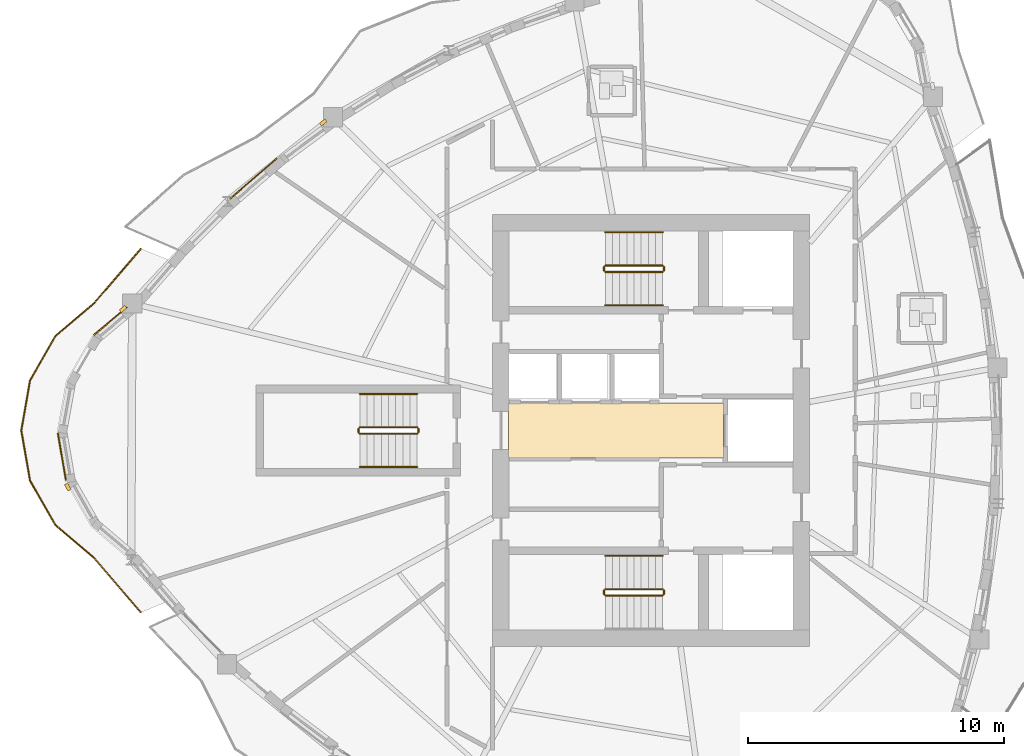
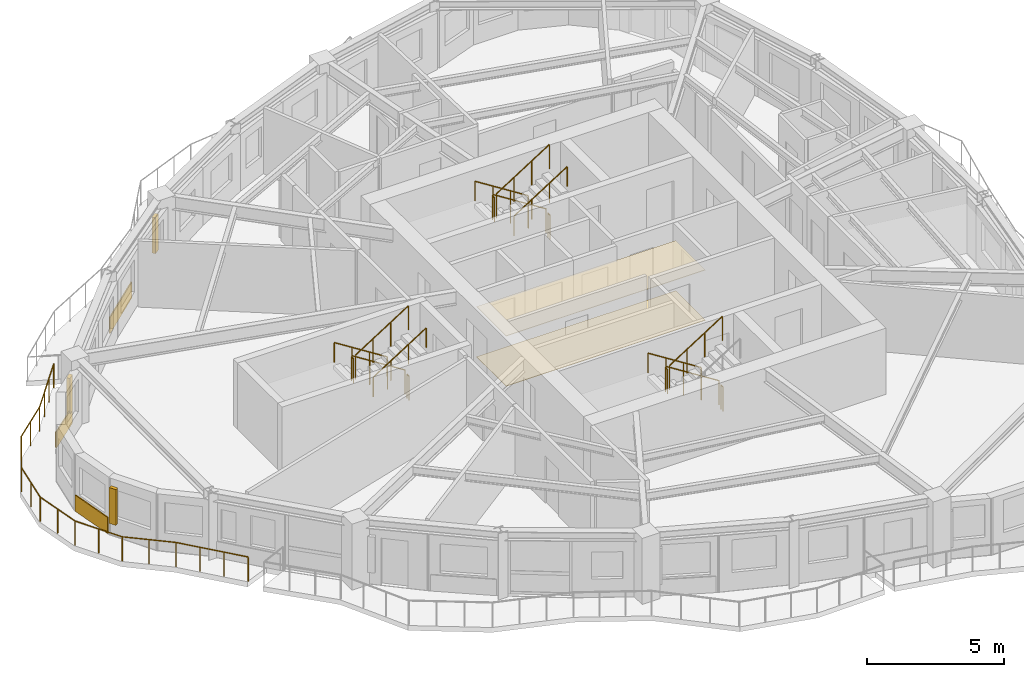
# One storey, part 11 of 13: 18 railings, 5 coverings, 3 shading devices.
"""IFC4 building model written with IfcOpenShell, lengths in metres."""

from ifc_helpers import new_model, si_unit, direction, frame, origin, origin_2d, place, context, subcontext, project, spatial, polyline, rectangle, circle, outline, extrude, source, transform, mapped, material, layer, layer_set, type_object, element, save


model = new_model("IFC4")

# Units and contexts
model_context = context("Model", 3, precision=1e-05, world=origin(), true_north=direction((0.0, 1.0)))
body_context = subcontext(model_context, "Body", "Model", "MODEL_VIEW")
ifc_project = project(units=[si_unit("LENGTHUNIT", "METRE"), si_unit("AREAUNIT", "SQUARE_METRE"), si_unit("VOLUMEUNIT", "CUBIC_METRE"), si_unit("PLANEANGLEUNIT", "RADIAN"), si_unit("MASSUNIT", "GRAM", prefix="KILO")], contexts=[model_context])

# Site, building, storey
site_placement = place(None, origin())
site = spatial("IfcSite", under=ifc_project, at=site_placement, CompositionType="ELEMENT")
building_placement = place(site_placement, origin())
building = spatial("IfcBuilding", under=site, at=building_placement, Name="Qafzar Sky-Pleat Residences", CompositionType="ELEMENT")
storey_placement = place(building_placement, frame((0.0, 0.0, 133.0)))
storey = spatial("IfcBuildingStorey", under=building, at=storey_placement, Name="L39", CompositionType="ELEMENT", Elevation=133.0)

# Coverings
ifc_material_1 = material(Name="Perforated acoustic gypsum board ceiling")
ifc_layer_1 = layer(ifc_material_1, 0.02001953125)
ifc_layer_set_1 = layer_set([ifc_layer_1], Name="Perforated acoustic gypsum board ceiling")
covering_type_1 = type_object("IfcCoveringType", Name="COV-CEIL-ACOUSTIC", PredefinedType="CEILING", material=ifc_layer_set_1)
covering_1_placement = place(storey_placement, frame((0.0, 0.0, 2.239990234375)))
element("IfcCovering", 1, at=covering_1_placement, inside=storey, type_object=covering_type_1, Name="L39 Passenger Lift Lobby Acoustic Ceiling", PredefinedType="CEILING", context=body_context, shape_type="SweptSolid", body=[
    extrude(outline(polyline([(33.179931640625, 24.919921875), (24.77001953125, 24.919921875), (24.77001953125, 27.080078125), (33.179931640625, 27.080078125), (33.179931640625, 24.919921875)])), origin(), (0.0, 0.0, 1.0), 0.02001953125),
])
ifc_material_2 = material(Name="Honed porcelain and Riyadh stone tile flooring", Category="masonry")
ifc_layer_2 = layer(ifc_material_2, 0.02001953125)
ifc_layer_set_2 = layer_set([ifc_layer_2], Name="Honed porcelain and Riyadh stone tile flooring")
covering_type_2 = type_object("IfcCoveringType", Name="COV-FLR-PORCELAIN", PredefinedType="FLOORING", material=ifc_layer_set_2)
covering_2_placement = place(storey_placement, origin())
element("IfcCovering", 2, at=covering_2_placement, inside=storey, type_object=covering_type_2, Name="L39 Passenger Lift Lobby Honed Stone Flooring", PredefinedType="FLOORING", context=body_context, shape_type="SweptSolid", body=[
    extrude(outline(polyline([(33.179931640625, 24.919921875), (24.77001953125, 24.919921875), (24.77001953125, 27.080078125), (33.179931640625, 27.080078125), (33.179931640625, 24.919921875)])), origin(), (0.0, 0.0, 1.0), 0.02001953125),
])

# Shading devices
ifc_material_3 = material(Name="Honed Riyadh limestone solar fin", Category="masonry")
ifc_layer_3 = layer(ifc_material_3, 0.139892578125)
ifc_layer_set_3 = layer_set([ifc_layer_3], Name="Honed Riyadh limestone solar fin")
shading_device_type = type_object("IfcShadingDeviceType", Name="SHD-FIN-STONE", PredefinedType="SHUTTER", material=ifc_layer_set_3)
shared_shape_1 = source(origin(), body_context, "Body", "SweptSolid", [
    extrude(rectangle(XDim=0.139892578125, YDim=0.280029296875, at=origin_2d()), origin(), (0.0, 0.0, 1.0), 1.60009765625),
])
for number, where, z_axis, x_axis, name in (
    (3, (9.705078125, 30.75146484375, 0.599853515625), (0.0, 0.0, 1.0), (-0.642178681306, 0.766554982552, 0.0), "L39 Limestone Solar Fin 1"),
    (4, (7.54248046875, 23.7919921875, 0.599853515625), (0.0, 0.0, 1.0), (-0.86961473554, -0.493730910245, 0.0), "L39 Limestone Solar Fin 5"),
    (5, (17.534423828125, 38.0478515625, 0.599853515625), (0.0, 0.0, 1.0), (-0.594883347751, 0.803812044304, 0.0), "L39 Limestone Solar Fin 45"),
):
    element("IfcShadingDevice", number, at=place(storey_placement, frame(where, z_axis=z_axis, x_axis=x_axis)), inside=storey, type_object=shading_device_type, Name=name, PredefinedType="SHUTTER", context=body_context, shape_type="MappedRepresentation", body=[
        mapped(shared_shape_1, transform((0.0, 0.0, 0.0), x_axis=(1.0, 0.0, 0.0), y_axis=(0.0, 1.0, 0.0), z_axis=(0.0, 0.0, 1.0), scale=1.0)),
    ])

# Railing
ifc_material_4 = material(Name="Laminated glass and bronze steel balustrade", Category="steel")
railing_type_1 = type_object("IfcRailingType", Name="RAIL-BAL-1100", PredefinedType="BALUSTRADE", material=ifc_material_4)
shared_shape_2 = source(origin(), body_context, "Body", "SweptSolid", [
    extrude(circle(Radius=0.02392578125, at=origin_2d()), frame((0.0, 0.0, 1.076171875), z_axis=(-0.651444068279, 0.758696662642, 0.0), x_axis=(-0.758696662642, -0.651444068279, 0.0)), (0.0, 0.0, 1.0), 2.80224609375),
    extrude(circle(Radius=0.02392578125, at=origin_2d()), frame((-1.825439453125, 2.1259765625, 1.076171875), z_axis=(-0.761860761711, 0.64774082762, 0.0), x_axis=(-0.64774082762, -0.761860761711, 0.0)), (0.0, 0.0, 1.0), 1.993896484375),
    extrude(circle(Radius=0.02392578125, at=origin_2d()), frame((-3.344482421875, 3.41748046875, 1.076171875), z_axis=(-0.496732470221, 0.867903711841, 0.0), x_axis=(-0.867903711841, -0.496732470221, 0.0)), (0.0, 0.0, 1.0), 1.992919921875),
    extrude(circle(Radius=0.02392578125, at=origin_2d()), frame((-4.33447265625, 5.147216796875, 1.076171875), z_axis=(-0.172401137465, 0.985026825929, 0.0), x_axis=(-0.985026825929, -0.172401137465, 0.0)), (0.0, 0.0, 1.0), 1.992431640625),
    extrude(circle(Radius=0.02392578125, at=origin_2d()), frame((-4.677978515625, 7.10986328125, 1.076171875), z_axis=(0.172401137465, 0.985026825929, 0.0), x_axis=(-0.985026825929, 0.172401137465, 0.0)), (0.0, 0.0, 1.0), 1.992431640625),
    extrude(circle(Radius=0.02392578125, at=origin_2d()), frame((-4.33447265625, 9.072509765625, 1.076171875), z_axis=(0.496732470221, 0.867903711841, 0.0), x_axis=(-0.867903711841, 0.496732470221, 0.0)), (0.0, 0.0, 1.0), 1.992919921875),
    extrude(circle(Radius=0.02392578125, at=origin_2d()), frame((-3.344482421875, 10.80224609375, 1.076171875), z_axis=(0.761860761711, 0.64774082762, 0.0), x_axis=(-0.64774082762, 0.761860761711, 0.0)), (0.0, 0.0, 1.0), 1.993896484375),
    extrude(circle(Radius=0.02392578125, at=origin_2d()), frame((-1.825439453125, 12.09375, 1.076171875), z_axis=(0.651444068279, 0.758696662642, 0.0), x_axis=(-0.758696662642, 0.651444068279, 0.0)), (0.0, 0.0, 1.0), 2.80224609375),
    extrude(circle(Radius=0.02099609375, at=origin_2d()), origin(), (0.0, 0.0, 1.0), 1.052001953125),
    extrude(circle(Radius=0.02099609375, at=origin_2d()), frame((-0.6083984375, 0.708740234375, 0.0)), (0.0, 0.0, 1.0), 1.052001953125),
    extrude(circle(Radius=0.02099609375, at=origin_2d()), frame((-1.217041015625, 1.417236328125, 0.0)), (0.0, 0.0, 1.0), 1.052001953125),
    extrude(circle(Radius=0.02099609375, at=origin_2d()), frame((-1.825439453125, 2.1259765625, 0.0)), (0.0, 0.0, 1.0), 1.052001953125),
    extrude(circle(Radius=0.02099609375, at=origin_2d()), frame((-2.5849609375, 2.771728515625, 0.0)), (0.0, 0.0, 1.0), 1.052001953125),
    extrude(circle(Radius=0.02099609375, at=origin_2d()), frame((-3.344482421875, 3.41748046875, 0.0)), (0.0, 0.0, 1.0), 1.052001953125),
    extrude(circle(Radius=0.02099609375, at=origin_2d()), frame((-3.83935546875, 4.2822265625, 0.0)), (0.0, 0.0, 1.0), 1.052001953125),
    extrude(circle(Radius=0.02099609375, at=origin_2d()), frame((-4.33447265625, 5.147216796875, 0.0)), (0.0, 0.0, 1.0), 1.052001953125),
    extrude(circle(Radius=0.02099609375, at=origin_2d()), frame((-4.50634765625, 6.12841796875, 0.0)), (0.0, 0.0, 1.0), 1.052001953125),
    extrude(circle(Radius=0.02099609375, at=origin_2d()), frame((-4.677978515625, 7.10986328125, 0.0)), (0.0, 0.0, 1.0), 1.052001953125),
    extrude(circle(Radius=0.02099609375, at=origin_2d()), frame((-4.50634765625, 8.09130859375, 0.0)), (0.0, 0.0, 1.0), 1.052001953125),
    extrude(circle(Radius=0.02099609375, at=origin_2d()), frame((-4.33447265625, 9.072509765625, 0.0)), (0.0, 0.0, 1.0), 1.052001953125),
    extrude(circle(Radius=0.02099609375, at=origin_2d()), frame((-3.83935546875, 9.9375, 0.0)), (0.0, 0.0, 1.0), 1.052001953125),
    extrude(circle(Radius=0.02099609375, at=origin_2d()), frame((-3.344482421875, 10.80224609375, 0.0)), (0.0, 0.0, 1.0), 1.052001953125),
    extrude(circle(Radius=0.02099609375, at=origin_2d()), frame((-2.5849609375, 11.447998046875, 0.0)), (0.0, 0.0, 1.0), 1.052001953125),
    extrude(circle(Radius=0.02099609375, at=origin_2d()), frame((-1.825439453125, 12.09375, 0.0)), (0.0, 0.0, 1.0), 1.052001953125),
    extrude(circle(Radius=0.02099609375, at=origin_2d()), frame((-1.217041015625, 12.802490234375, 0.0)), (0.0, 0.0, 1.0), 1.052001953125),
    extrude(circle(Radius=0.02099609375, at=origin_2d()), frame((-0.6083984375, 13.510986328125, 0.0)), (0.0, 0.0, 1.0), 1.052001953125),
    extrude(circle(Radius=0.02099609375, at=origin_2d()), frame((0.0, 14.2197265625, 0.0)), (0.0, 0.0, 1.0), 1.052001953125),
])
railing_placement = place(storey_placement, frame((10.402587890625, 18.89013671875, 0.0)))
element("IfcRailing", 6, at=railing_placement, inside=storey, type_object=railing_type_1, Name="L39 Corner Terrace 1 Balustrade", PredefinedType="BALUSTRADE", context=body_context, shape_type="MappedRepresentation", body=[
    mapped(shared_shape_2, transform((0.0, 0.0, 0.0), x_axis=(1.0, 0.0, 0.0), y_axis=(0.0, 1.0, 0.0), z_axis=(0.0, 0.0, 1.0), scale=1.0)),
])

# Coverings
ifc_material_5 = material(Name="Honed Riyadh Tuwaiq limestone cladding", Category="masonry")
ifc_layer_4 = layer(ifc_material_5, 0.044921875)
ifc_layer_set_4 = layer_set([ifc_layer_4], Name="Honed Riyadh Tuwaiq limestone cladding")
covering_type_3 = type_object("IfcCoveringType", Name="COV-CLAD-STONE", PredefinedType="CLADDING", material=ifc_layer_set_4)
shared_shape_3 = source(origin(), body_context, "Body", "SweptSolid", [
    extrude(rectangle(XDim=1.699462890625, YDim=0.044921875, at=origin_2d()), origin(), (0.0, 0.0, 1.0), 0.719970703125),
])
covering_3_placement = place(storey_placement, frame((9.20751953125, 30.278564453125, 0.02001953125), z_axis=(0.0, 0.0, 1.0), x_axis=(-0.766590937902, -0.642135759732, 0.0)))
element("IfcCovering", 7, at=covering_3_placement, inside=storey, type_object=covering_type_3, Name="L39 Riyadh Limestone Spandrel Cladding 1", PredefinedType="CLADDING", context=body_context, shape_type="MappedRepresentation", body=[
    mapped(shared_shape_3, transform((0.0, 0.0, 0.0), x_axis=(1.0, 0.0, 0.0), y_axis=(0.0, 1.0, 0.0), z_axis=(0.0, 0.0, 1.0), scale=1.0)),
])
shared_shape_4 = source(origin(), body_context, "Body", "SweptSolid", [
    extrude(rectangle(XDim=1.873046875, YDim=0.044921875, at=origin_2d()), origin(), (0.0, 0.0, 1.0), 0.719970703125),
])
covering_4_placement = place(storey_placement, frame((7.31103515625, 24.98046875, 0.02001953125), z_axis=(0.0, 0.0, 1.0), x_axis=(0.168130198723, -0.985764797646, 0.0)))
element("IfcCovering", 8, at=covering_4_placement, inside=storey, type_object=covering_type_3, Name="L39 Riyadh Limestone Spandrel Cladding 4", PredefinedType="CLADDING", context=body_context, shape_type="MappedRepresentation", body=[
    mapped(shared_shape_4, transform((0.0, 0.0, 0.0), x_axis=(1.0, 0.0, 0.0), y_axis=(0.0, 1.0, 0.0), z_axis=(0.0, 0.0, 1.0), scale=1.0)),
])
shared_shape_5 = source(origin(), body_context, "Body", "SweptSolid", [
    extrude(rectangle(XDim=2.406982421875, YDim=0.044921875, at=origin_2d()), origin(), (0.0, 0.0, 1.0), 0.719970703125),
])
covering_5_placement = place(storey_placement, frame((14.8046875, 35.854248046875, 0.02001953125), z_axis=(0.0, 0.0, 1.0), x_axis=(-0.757496035004, -0.652839763612, 0.0)))
element("IfcCovering", 9, at=covering_5_placement, inside=storey, type_object=covering_type_3, Name="L39 Riyadh Limestone Spandrel Cladding 46", PredefinedType="CLADDING", context=body_context, shape_type="MappedRepresentation", body=[
    mapped(shared_shape_5, transform((0.0, 0.0, 0.0), x_axis=(1.0, 0.0, 0.0), y_axis=(0.0, 1.0, 0.0), z_axis=(0.0, 0.0, 1.0), scale=1.0)),
])

# Railings
ifc_material_6 = material(Name="Painted Steel S355 stair guardrail", Category="steel")
railing_type_2 = type_object("IfcRailingType", Name="RAIL-STAIR-GUARD", PredefinedType="GUARDRAIL", material=ifc_material_6)
shared_shape_6 = source(origin(), body_context, "Body", "SweptSolid", [
    extrude(circle(Radius=0.02392578125, at=origin_2d()), frame((0.0, 0.0, 1.076171875), z_axis=(0.0, -1.0, 0.0), x_axis=(1.0, 0.0, 0.0)), (0.0, 0.0, 1.0), 0.14990234375),
    extrude(circle(Radius=0.02099609375, at=origin_2d()), origin(), (0.0, 0.0, 1.0), 1.052001953125),
    extrude(circle(Radius=0.02099609375, at=origin_2d()), frame((0.0, -0.14990234375, 0.0)), (0.0, 0.0, 1.0), 1.052001953125),
])
for number, where, name in (
    (10, (28.510009765625, 19.75, 1.60009765625), "L39 ST1 stair guard 2"),
    (11, (30.85009765625, 19.75, 0.0), "L39 ST1 stair guard 4"),
    (12, (28.510009765625, 32.39990234375, 1.60009765625), "L39 ST2 stair guard 2"),
    (13, (30.85009765625, 32.39990234375, 0.0), "L39 ST2 stair guard 4"),
    (14, (18.909912109375, 26.074951171875, 1.60009765625), "L39 ST3 stair guard 2"),
    (15, (21.25, 26.074951171875, 0.0), "L39 ST3 stair guard 4"),
):
    element("IfcRailing", number, at=place(storey_placement, frame(where)), inside=storey, type_object=railing_type_2, Name=name, PredefinedType="GUARDRAIL", context=body_context, shape_type="MappedRepresentation", body=[
        mapped(shared_shape_6, transform((0.0, 0.0, 0.0), x_axis=(1.0, 0.0, 0.0), y_axis=(0.0, 1.0, 0.0), z_axis=(0.0, 0.0, 1.0), scale=1.0)),
    ])
shared_shape_7 = source(origin(), body_context, "Body", "SweptSolid", [
    extrude(circle(Radius=0.02392578125, at=origin_2d()), frame((0.0, 0.0, 1.076171875), z_axis=(0.8442293374, 0.0, 0.53598211339), x_axis=(0.0, 1.0, 0.0)), (0.0, 0.0, 1.0), 2.6533203125),
    extrude(circle(Radius=0.02099609375, at=origin_2d()), origin(), (0.0, 0.0, 1.0), 1.052001953125),
    extrude(circle(Radius=0.02099609375, at=origin_2d()), frame((0.74658203125, 0.0, 0.47412109375)), (0.0, 0.0, 1.0), 1.052001953125),
    extrude(circle(Radius=0.02099609375, at=origin_2d()), frame((1.493408203125, 0.0, 0.947998046875)), (0.0, 0.0, 1.0), 1.052001953125),
    extrude(circle(Radius=0.02099609375, at=origin_2d()), frame((2.239990234375, 0.0, 1.422119140625)), (0.0, 0.0, 1.0), 1.052001953125),
])
for number, where, name in (
    (16, (28.56005859375, 19.550048828125, 1.77783203125), "L39 ST1 stair guard 3"),
    (17, (28.56005859375, 32.199951171875, 1.77783203125), "L39 ST2 stair guard 3"),
    (18, (18.9599609375, 25.875, 1.77783203125), "L39 ST3 stair guard 3"),
):
    element("IfcRailing", number, at=place(storey_placement, frame(where)), inside=storey, type_object=railing_type_2, Name=name, PredefinedType="GUARDRAIL", context=body_context, shape_type="MappedRepresentation", body=[
        mapped(shared_shape_7, transform((0.0, 0.0, 0.0), x_axis=(1.0, 0.0, 0.0), y_axis=(0.0, 1.0, 0.0), z_axis=(0.0, 0.0, 1.0), scale=1.0)),
    ])
ifc_material_7 = material(Name="Brushed stainless steel handrail", Category="steel")
railing_type_3 = type_object("IfcRailingType", Name="RAIL-STAIR-HAND", PredefinedType="HANDRAIL", material=ifc_material_7)
shared_shape_8 = source(origin(), body_context, "Body", "SweptSolid", [
    extrude(circle(Radius=0.02392578125, at=origin_2d()), frame((0.0, 0.0, 0.8759765625), z_axis=(0.8442293374, 0.0, 0.53598211339), x_axis=(0.0, 1.0, 0.0)), (0.0, 0.0, 1.0), 2.6533203125),
    extrude(circle(Radius=0.02099609375, at=origin_2d()), origin(), (0.0, 0.0, 1.0), 0.851806640625),
    extrude(circle(Radius=0.02099609375, at=origin_2d()), frame((0.74658203125, 0.0, 0.47412109375)), (0.0, 0.0, 1.0), 0.851806640625),
    extrude(circle(Radius=0.02099609375, at=origin_2d()), frame((1.493408203125, 0.0, 0.947998046875)), (0.0, 0.0, 1.0), 0.851806640625),
    extrude(circle(Radius=0.02099609375, at=origin_2d()), frame((2.239990234375, 0.0, 1.422119140625)), (0.0, 0.0, 1.0), 0.851806640625),
])
for number, where, name in (
    (19, (28.56005859375, 30.89990234375, 1.77783203125), "L39 ST2 stair handrail 2"),
    (20, (18.9599609375, 24.574951171875, 1.77783203125), "L39 ST3 stair handrail 2"),
):
    element("IfcRailing", number, at=place(storey_placement, frame(where)), inside=storey, type_object=railing_type_3, Name=name, PredefinedType="HANDRAIL", context=body_context, shape_type="MappedRepresentation", body=[
        mapped(shared_shape_8, transform((0.0, 0.0, 0.0), x_axis=(1.0, 0.0, 0.0), y_axis=(0.0, 1.0, 0.0), z_axis=(0.0, 0.0, 1.0), scale=1.0)),
    ])
shared_shape_9 = source(origin(), body_context, "Body", "SweptSolid", [
    extrude(circle(Radius=0.02392578125, at=origin_2d()), frame((0.0, 0.0, 1.076171875), z_axis=(-0.84418770128, 0.0, 0.536047689118), x_axis=(0.0, -1.0, 0.0)), (0.0, 0.0, 1.0), 2.6533203125),
    extrude(circle(Radius=0.02099609375, at=origin_2d()), origin(), (0.0, 0.0, 1.0), 1.052001953125),
    extrude(circle(Radius=0.02099609375, at=origin_2d()), frame((-0.74658203125, 0.0, 0.47412109375)), (0.0, 0.0, 1.0), 1.052001953125),
    extrude(circle(Radius=0.02099609375, at=origin_2d()), frame((-1.493408203125, 0.0, 0.9482421875)), (0.0, 0.0, 1.0), 1.052001953125),
    extrude(circle(Radius=0.02099609375, at=origin_2d()), frame((-2.239990234375, 0.0, 1.42236328125)), (0.0, 0.0, 1.0), 1.052001953125),
])
for number, where, name in (
    (21, (30.800048828125, 19.800048828125, 0.177734375), "L39 ST1 stair guard 1"),
    (22, (30.800048828125, 32.449951171875, 0.177734375), "L39 ST2 stair guard 1"),
    (23, (21.199951171875, 26.125, 0.177734375), "L39 ST3 stair guard 1"),
):
    element("IfcRailing", number, at=place(storey_placement, frame(where)), inside=storey, type_object=railing_type_2, Name=name, PredefinedType="GUARDRAIL", context=body_context, shape_type="MappedRepresentation", body=[
        mapped(shared_shape_9, transform((0.0, 0.0, 0.0), x_axis=(1.0, 0.0, 0.0), y_axis=(0.0, 1.0, 0.0), z_axis=(0.0, 0.0, 1.0), scale=1.0)),
    ])
shared_shape_10 = source(origin(), body_context, "Body", "SweptSolid", [
    extrude(circle(Radius=0.02392578125, at=origin_2d()), frame((0.0, 0.0, 0.8759765625), z_axis=(-0.84418770128, 0.0, 0.536047689118), x_axis=(0.0, -1.0, 0.0)), (0.0, 0.0, 1.0), 2.6533203125),
    extrude(circle(Radius=0.02099609375, at=origin_2d()), origin(), (0.0, 0.0, 1.0), 0.851806640625),
    extrude(circle(Radius=0.02099609375, at=origin_2d()), frame((-0.74658203125, 0.0, 0.47412109375)), (0.0, 0.0, 1.0), 0.851806640625),
    extrude(circle(Radius=0.02099609375, at=origin_2d()), frame((-1.493408203125, 0.0, 0.9482421875)), (0.0, 0.0, 1.0), 0.851806640625),
    extrude(circle(Radius=0.02099609375, at=origin_2d()), frame((-2.239990234375, 0.0, 1.42236328125)), (0.0, 0.0, 1.0), 0.851806640625),
])
for number, where, name in (
    (24, (30.800048828125, 21.10009765625, 0.177734375), "L39 ST1 stair handrail 1"),
    (25, (30.800048828125, 33.75, 0.177734375), "L39 ST2 stair handrail 1"),
    (26, (21.199951171875, 27.425048828125, 0.177734375), "L39 ST3 stair handrail 1"),
):
    element("IfcRailing", number, at=place(storey_placement, frame(where)), inside=storey, type_object=railing_type_3, Name=name, PredefinedType="HANDRAIL", context=body_context, shape_type="MappedRepresentation", body=[
        mapped(shared_shape_10, transform((0.0, 0.0, 0.0), x_axis=(1.0, 0.0, 0.0), y_axis=(0.0, 1.0, 0.0), z_axis=(0.0, 0.0, 1.0), scale=1.0)),
    ])

save(model, "model.ifc")
